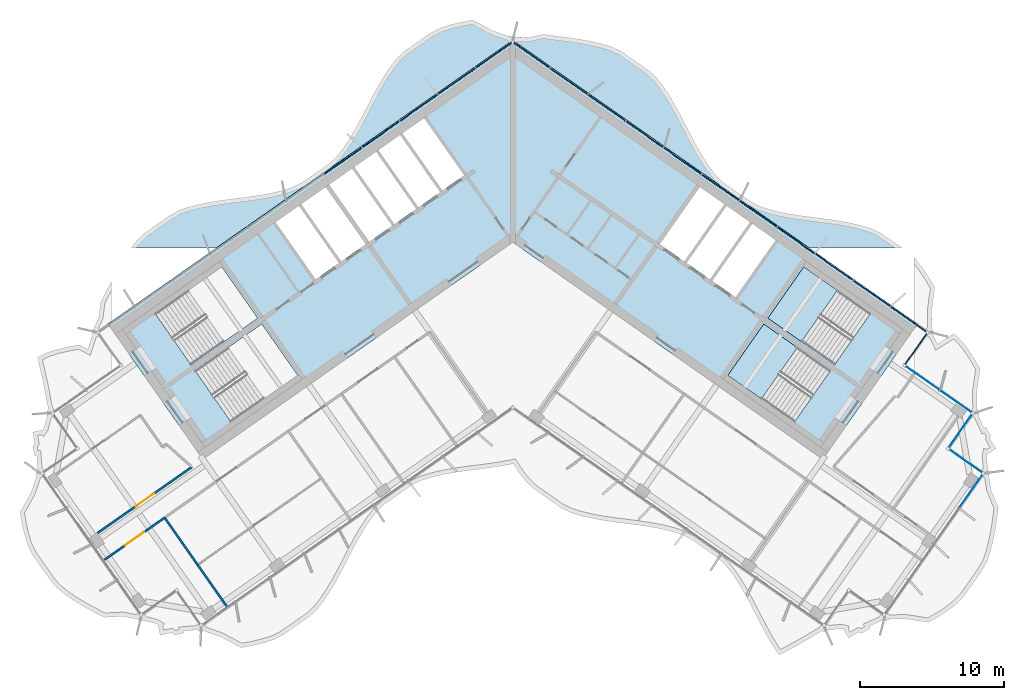
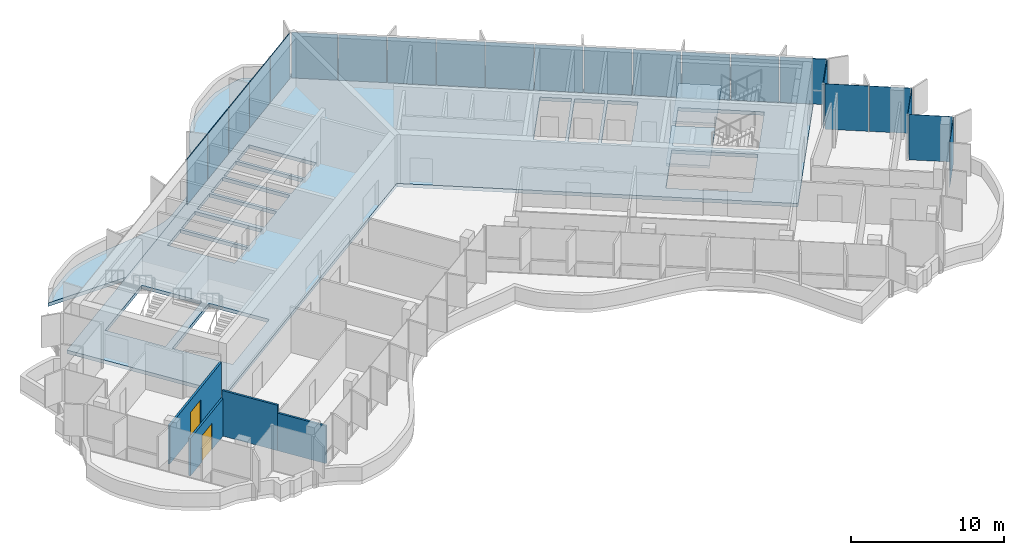
# One storey, part 10 of 20: 22 plates, 4 slabs, 4 walls, 2 doors, 2 openings, 4 elements without a shape of their own.
"""IFC4 building model written with IfcOpenShell, lengths in metres."""

from ifc_helpers import new_model, si_unit, direction, frame, frame_2d, origin, origin_2d, place, context, subcontext, project, spatial, polyline, rectangle, outline, extrude, material, layer, layer_set, type_object, element, fill, aggregate, save


model = new_model("IFC4")

# Units and contexts
model_context = context("Model", 3, precision=1e-05, world=origin(), true_north=direction((0.0, 1.0)))
body_context = subcontext(model_context, "Body", "Model", "MODEL_VIEW")
ifc_project = project(units=[si_unit("LENGTHUNIT", "METRE"), si_unit("AREAUNIT", "SQUARE_METRE"), si_unit("VOLUMEUNIT", "CUBIC_METRE"), si_unit("PLANEANGLEUNIT", "RADIAN"), si_unit("MASSUNIT", "GRAM", prefix="KILO")], contexts=[model_context])

# Site, building, storey
site_placement = place(None, origin())
site = spatial("IfcSite", under=ifc_project, at=site_placement, CompositionType="ELEMENT")
building_placement = place(site_placement, origin())
building = spatial("IfcBuilding", under=site, at=building_placement, Name="Tel Ilan Convention Tower", CompositionType="ELEMENT")
storey_placement = place(building_placement, frame((0.0, 0.0, 237.10009765625)))
storey = spatial("IfcBuildingStorey", under=building, at=storey_placement, Name="L55", CompositionType="ELEMENT", Elevation=237.10009765625)

# Curtain wall, plates
ifc_material_1 = material(Name="Aluminium, bronze anodised", Category="aluminium")
curtain_wall_type_1 = type_object("IfcCurtainWallType", Name="CW2 STICK CURTAIN WALL, SPANDREL PANELS", PredefinedType="NOTDEFINED", material=ifc_material_1)
curtain_wall_1_placement = place(storey_placement, origin())
curtain_wall_1 = element("IfcCurtainWall", 1, at=curtain_wall_1_placement, inside=storey, type_object=curtain_wall_type_1, Name="Curtain wall CW2-42.01", PredefinedType="NOTDEFINED")
ifc_material_2 = material(Name="Aluminium composite panel, bronze anodised", Category="aluminium")
ifc_layer_1 = layer(ifc_material_2, 0.06005859375)
ifc_layer_set_1 = layer_set([ifc_layer_1], Name="CW SPANDREL PANEL 60")
plate_type_1 = type_object("IfcPlateType", Name="CW SPANDREL PANEL 60", PredefinedType="CURTAIN_PANEL", material=ifc_layer_set_1)
plate_1_placement = place(storey_placement, frame((28.033935546875, -8.60546875, -0.000244140625), z_axis=(0.0, 0.0, 1.0), x_axis=(0.573576436351, 0.819152044289, 0.0)))
plate_1 = element("IfcPlate", 2, at=plate_1_placement, type_object=plate_type_1, Name="Spandrel panel", PredefinedType="CURTAIN_PANEL", context=body_context, shape_type="SweptSolid", body=[
    extrude(rectangle(XDim=2.658935546875, YDim=0.06005859375, at=origin_2d()), origin(), (0.0, 0.0, 1.0), 3.6201171875),
])
plate_2_placement = place(storey_placement, frame((27.5400390625, -6.587646484375, -0.000244140625), z_axis=(0.0, 0.0, 1.0), x_axis=(-0.819152044289, 0.573576436351, 0.0)))
plate_2 = element("IfcPlate", 3, at=plate_2_placement, type_object=plate_type_1, Name="Spandrel panel", PredefinedType="CURTAIN_PANEL", context=body_context, shape_type="SweptSolid", body=[
    extrude(rectangle(XDim=3.0439453125, YDim=0.06005859375, at=origin_2d()), origin(), (0.0, 0.0, 1.0), 3.6201171875),
])
plate_3_placement = place(storey_placement, frame((24.95263671875, -4.77587890625, -0.000244140625), z_axis=(0.0, 0.0, 1.0), x_axis=(-0.819152044289, 0.573576436351, 0.0)))
plate_3 = element("IfcPlate", 4, at=plate_3_placement, type_object=plate_type_1, Name="Spandrel panel", PredefinedType="CURTAIN_PANEL", context=body_context, shape_type="SweptSolid", body=[
    extrude(rectangle(XDim=3.15380859375, YDim=0.06005859375, at=origin_2d()), origin(), (0.0, 0.0, 1.0), 3.6201171875),
])
plate_4_placement = place(storey_placement, frame((22.31982421875, -2.9326171875, -0.000244140625), z_axis=(0.0, 0.0, 1.0), x_axis=(-0.819152044289, 0.573576436351, 0.0)))
plate_4 = element("IfcPlate", 5, at=plate_4_placement, type_object=plate_type_1, Name="Spandrel panel", PredefinedType="CURTAIN_PANEL", context=body_context, shape_type="SweptSolid", body=[
    extrude(rectangle(XDim=3.15380859375, YDim=0.06005859375, at=origin_2d()), origin(), (0.0, 0.0, 1.0), 3.6201171875),
])
plate_5_placement = place(storey_placement, frame((19.687255859375, -1.089111328125, -0.000244140625), z_axis=(0.0, 0.0, 1.0), x_axis=(-0.819152044289, 0.573576436351, 0.0)))
plate_5 = element("IfcPlate", 6, at=plate_5_placement, type_object=plate_type_1, Name="Spandrel panel", PredefinedType="CURTAIN_PANEL", context=body_context, shape_type="SweptSolid", body=[
    extrude(rectangle(XDim=3.15380859375, YDim=0.06005859375, at=origin_2d()), origin(), (0.0, 0.0, 1.0), 3.6201171875),
])
plate_6_placement = place(storey_placement, frame((17.0546875, 0.754150390625, -0.000244140625), z_axis=(0.0, 0.0, 1.0), x_axis=(-0.819152044289, 0.573576436351, 0.0)))
plate_6 = element("IfcPlate", 7, at=plate_6_placement, type_object=plate_type_1, Name="Spandrel panel", PredefinedType="CURTAIN_PANEL", context=body_context, shape_type="SweptSolid", body=[
    extrude(rectangle(XDim=3.15380859375, YDim=0.06005859375, at=origin_2d()), origin(), (0.0, 0.0, 1.0), 3.6201171875),
])
plate_7_placement = place(storey_placement, frame((14.422119140625, 2.59765625, -0.000244140625), z_axis=(0.0, 0.0, 1.0), x_axis=(-0.819152044289, 0.573576436351, 0.0)))
plate_7 = element("IfcPlate", 8, at=plate_7_placement, type_object=plate_type_1, Name="Spandrel panel", PredefinedType="CURTAIN_PANEL", context=body_context, shape_type="SweptSolid", body=[
    extrude(rectangle(XDim=3.15380859375, YDim=0.06005859375, at=origin_2d()), origin(), (0.0, 0.0, 1.0), 3.6201171875),
])
plate_8_placement = place(storey_placement, frame((11.789306640625, 4.44091796875, -0.000244140625), z_axis=(0.0, 0.0, 1.0), x_axis=(-0.819152044289, 0.573576436351, 0.0)))
plate_8 = element("IfcPlate", 9, at=plate_8_placement, type_object=plate_type_1, Name="Spandrel panel", PredefinedType="CURTAIN_PANEL", context=body_context, shape_type="SweptSolid", body=[
    extrude(rectangle(XDim=3.15380859375, YDim=0.06005859375, at=origin_2d()), origin(), (0.0, 0.0, 1.0), 3.6201171875),
])
plate_9_placement = place(storey_placement, frame((9.15673828125, 6.284423828125, -0.000244140625), z_axis=(0.0, 0.0, 1.0), x_axis=(-0.819152044289, 0.573576436351, 0.0)))
plate_9 = element("IfcPlate", 10, at=plate_9_placement, type_object=plate_type_1, Name="Spandrel panel", PredefinedType="CURTAIN_PANEL", context=body_context, shape_type="SweptSolid", body=[
    extrude(rectangle(XDim=3.15380859375, YDim=0.06005859375, at=origin_2d()), origin(), (0.0, 0.0, 1.0), 3.6201171875),
])
plate_10_placement = place(storey_placement, frame((6.524169921875, 8.127685546875, -0.000244140625), z_axis=(0.0, 0.0, 1.0), x_axis=(-0.819152044289, 0.573576436351, 0.0)))
plate_10 = element("IfcPlate", 11, at=plate_10_placement, type_object=plate_type_1, Name="Spandrel panel", PredefinedType="CURTAIN_PANEL", context=body_context, shape_type="SweptSolid", body=[
    extrude(rectangle(XDim=3.15380859375, YDim=0.06005859375, at=origin_2d()), origin(), (0.0, 0.0, 1.0), 3.6201171875),
])
plate_11_placement = place(storey_placement, frame((3.8916015625, 9.97119140625, -0.000244140625), z_axis=(0.0, 0.0, 1.0), x_axis=(-0.819152044289, 0.573576436351, 0.0)))
plate_11 = element("IfcPlate", 12, at=plate_11_placement, type_object=plate_type_1, Name="Spandrel panel", PredefinedType="CURTAIN_PANEL", context=body_context, shape_type="SweptSolid", body=[
    extrude(rectangle(XDim=3.15380859375, YDim=0.06005859375, at=origin_2d()), origin(), (0.0, 0.0, 1.0), 3.6201171875),
])
plate_12_placement = place(storey_placement, frame((1.303955078125, 11.782958984375, -0.000244140625), z_axis=(0.0, 0.0, 1.0), x_axis=(-0.819152044289, 0.573576436351, 0.0)))
plate_12 = element("IfcPlate", 13, at=plate_12_placement, type_object=plate_type_1, Name="Spandrel panel", PredefinedType="CURTAIN_PANEL", context=body_context, shape_type="SweptSolid", body=[
    extrude(rectangle(XDim=3.0439453125, YDim=0.06005859375, at=origin_2d()), origin(), (0.0, 0.0, 1.0), 3.6201171875),
])
plate_13_placement = place(storey_placement, frame((-1.303955078125, 11.782958984375, -0.000244140625), z_axis=(0.0, 0.0, 1.0), x_axis=(-0.819152044289, -0.573576436351, 0.0)))
plate_13 = element("IfcPlate", 14, at=plate_13_placement, type_object=plate_type_1, Name="Spandrel panel", PredefinedType="CURTAIN_PANEL", context=body_context, shape_type="SweptSolid", body=[
    extrude(rectangle(XDim=3.0439453125, YDim=0.06005859375, at=origin_2d()), origin(), (0.0, 0.0, 1.0), 3.6201171875),
])
plate_14_placement = place(storey_placement, frame((-3.8916015625, 9.97119140625, -0.000244140625), z_axis=(0.0, 0.0, 1.0), x_axis=(-0.819152044289, -0.573576436351, 0.0)))
plate_14 = element("IfcPlate", 15, at=plate_14_placement, type_object=plate_type_1, Name="Spandrel panel", PredefinedType="CURTAIN_PANEL", context=body_context, shape_type="SweptSolid", body=[
    extrude(rectangle(XDim=3.15380859375, YDim=0.06005859375, at=origin_2d()), origin(), (0.0, 0.0, 1.0), 3.6201171875),
])
plate_15_placement = place(storey_placement, frame((-6.524169921875, 8.127685546875, -0.000244140625), z_axis=(0.0, 0.0, 1.0), x_axis=(-0.819152044289, -0.573576436351, 0.0)))
plate_15 = element("IfcPlate", 16, at=plate_15_placement, type_object=plate_type_1, Name="Spandrel panel", PredefinedType="CURTAIN_PANEL", context=body_context, shape_type="SweptSolid", body=[
    extrude(rectangle(XDim=3.15380859375, YDim=0.06005859375, at=origin_2d()), origin(), (0.0, 0.0, 1.0), 3.6201171875),
])
plate_16_placement = place(storey_placement, frame((-9.15673828125, 6.284423828125, -0.000244140625), z_axis=(0.0, 0.0, 1.0), x_axis=(-0.819152044289, -0.573576436351, 0.0)))
plate_16 = element("IfcPlate", 17, at=plate_16_placement, type_object=plate_type_1, Name="Spandrel panel", PredefinedType="CURTAIN_PANEL", context=body_context, shape_type="SweptSolid", body=[
    extrude(rectangle(XDim=3.15380859375, YDim=0.06005859375, at=origin_2d()), origin(), (0.0, 0.0, 1.0), 3.6201171875),
])
plate_17_placement = place(storey_placement, frame((-11.789306640625, 4.44091796875, -0.000244140625), z_axis=(0.0, 0.0, 1.0), x_axis=(-0.819152044289, -0.573576436351, 0.0)))
plate_17 = element("IfcPlate", 18, at=plate_17_placement, type_object=plate_type_1, Name="Spandrel panel", PredefinedType="CURTAIN_PANEL", context=body_context, shape_type="SweptSolid", body=[
    extrude(rectangle(XDim=3.15380859375, YDim=0.06005859375, at=origin_2d()), origin(), (0.0, 0.0, 1.0), 3.6201171875),
])
aggregate(curtain_wall_1, [plate_1, plate_2, plate_3, plate_4, plate_5, plate_6, plate_7, plate_8, plate_9, plate_10, plate_11, plate_12, plate_13, plate_14, plate_15, plate_16, plate_17])

ifc_material_3 = material(Name="Aluminium, bronze anodised", Category="aluminium")
curtain_wall_type_2 = type_object("IfcCurtainWallType", Name="CW5 STICK CURTAIN WALL, UPPER OFFICE LOW-IRON TINTED GLASS", PredefinedType="NOTDEFINED", material=ifc_material_3)
curtain_wall_2_placement = place(storey_placement, origin())
curtain_wall_2 = element("IfcCurtainWall", 19, at=curtain_wall_2_placement, inside=storey, type_object=curtain_wall_type_2, Name="Curtain wall CW5-42.02", PredefinedType="NOTDEFINED")
ifc_material_4 = material(Name="Glass, low-iron bronze tinted, two-ply", Category="glass")
ifc_layer_2 = layer(ifc_material_4, 0.031982421875)
ifc_layer_set_2 = layer_set([ifc_layer_2], Name="CW UPPER GLASS PANEL 32")
plate_type_2 = type_object("IfcPlateType", Name="CW UPPER GLASS PANEL 32", PredefinedType="CURTAIN_PANEL", material=ifc_layer_set_2)
plate_18_placement = place(storey_placement, frame((31.85693359375, -18.488037109375, -0.000244140625), z_axis=(0.0, 0.0, 1.0), x_axis=(0.573576436351, 0.819152044289, 0.0)))
plate_18 = element("IfcPlate", 20, at=plate_18_placement, type_object=plate_type_2, Name="Glass panel", PredefinedType="CURTAIN_PANEL", context=body_context, shape_type="SweptSolid", body=[
    extrude(rectangle(XDim=2.89599609375, YDim=0.028076171875, at=origin_2d()), origin(), (0.0, 0.0, 1.0), 3.6201171875),
])
plate_19_placement = place(storey_placement, frame((31.504150390625, -16.44384765625, -0.000244140625), z_axis=(0.0, 0.0, 1.0), x_axis=(-0.819152044289, 0.573576436351, 0.0)))
plate_19 = element("IfcPlate", 21, at=plate_19_placement, type_object=plate_type_2, Name="Glass panel", PredefinedType="CURTAIN_PANEL", context=body_context, shape_type="SweptSolid", body=[
    extrude(rectangle(XDim=2.875, YDim=0.028076171875, at=origin_2d()), origin(), (0.0, 0.0, 1.0), 3.6201171875),
])
plate_20_placement = place(storey_placement, frame((31.126220703125, -14.30126953125, -0.000244140625), z_axis=(0.0, 0.0, 1.0), x_axis=(0.573576436351, 0.819152044289, 0.0)))
plate_20 = element("IfcPlate", 22, at=plate_20_placement, type_object=plate_type_2, Name="Glass panel", PredefinedType="CURTAIN_PANEL", context=body_context, shape_type="SweptSolid", body=[
    extrude(rectangle(XDim=2.875, YDim=0.028076171875, at=origin_2d()), origin(), (0.0, 0.0, 1.0), 3.6201171875),
])
plate_21_placement = place(storey_placement, frame((30.8203125, -12.302734375, -0.000244140625), z_axis=(0.0, 0.0, 1.0), x_axis=(-0.819152044289, 0.573576436351, 0.0)))
plate_21 = element("IfcPlate", 23, at=plate_21_placement, type_object=plate_type_2, Name="Glass panel", PredefinedType="CURTAIN_PANEL", context=body_context, shape_type="SweptSolid", body=[
    extrude(rectangle(XDim=2.74609375, YDim=0.028076171875, at=origin_2d()), origin(), (0.0, 0.0, 1.0), 3.6201171875),
])
plate_22_placement = place(storey_placement, frame((28.471435546875, -10.657958984375, -0.000244140625), z_axis=(0.0, 0.0, 1.0), x_axis=(-0.819152044289, 0.573576436351, 0.0)))
plate_22 = element("IfcPlate", 24, at=plate_22_placement, type_object=plate_type_2, Name="Glass panel", PredefinedType="CURTAIN_PANEL", context=body_context, shape_type="SweptSolid", body=[
    extrude(rectangle(XDim=2.868896484375, YDim=0.028076171875, at=origin_2d()), origin(), (0.0, 0.0, 1.0), 3.6201171875),
])
aggregate(curtain_wall_2, [plate_18, plate_19, plate_20, plate_21, plate_22])

# Stair, slab
ifc_material_5 = material(Name="Concrete C40/50", Category="concrete")
stair_type = type_object("IfcStairType", Name="Pressurised Exit Stair 22 risers 177 mm", PredefinedType="HALF_TURN_STAIR", material=ifc_material_5)
stair_1_placement = place(storey_placement, origin())
stair_1 = element("IfcStair", 25, at=stair_1_placement, inside=storey, type_object=stair_type, Name="L55 Pressurised Stair S3", PredefinedType="HALF_TURN_STAIR")
ifc_material_6 = material(Name="Concrete C40/50", Category="concrete")
ifc_layer_3 = layer(ifc_material_6, 0.199951171875)
ifc_layer_set_3 = layer_set([ifc_layer_3], Name="Concrete Stair Landing 200 mm C40/50")
slab_type_1 = type_object("IfcSlabType", Name="Concrete Stair Landing 200 mm", PredefinedType="LANDING", material=ifc_layer_set_3)
slab_1_placement = place(storey_placement, frame((0.0, 0.0, 1.75)))
slab_1 = element("IfcSlab", 26, at=slab_1_placement, type_object=slab_type_1, Name="S3 landing 1", PredefinedType="LANDING", context=body_context, shape_type="SweptSolid", body=[
    extrude(outline(polyline([(22.561767578125, -4.566650390625), (20.226318359375, -2.931640625), (17.7314453125, -6.494873046875), (20.066650390625, -8.130126953125), (22.561767578125, -4.566650390625)])), origin(), (0.0, 0.0, 1.0), 0.199951171875),
])
aggregate(stair_1, [slab_1])

stair_2_placement = place(storey_placement, origin())
stair_2 = element("IfcStair", 27, at=stair_2_placement, inside=storey, type_object=stair_type, Name="L55 Pressurised Stair S4", PredefinedType="HALF_TURN_STAIR")
slab_2_placement = place(storey_placement, frame((0.0, 0.0, 1.75)))
slab_2 = element("IfcSlab", 28, at=slab_2_placement, type_object=slab_type_1, Name="S4 landing 1", PredefinedType="LANDING", context=body_context, shape_type="SweptSolid", body=[
    extrude(outline(polyline([(19.77978515625, -8.53955078125), (17.444580078125, -6.904541015625), (14.949462890625, -10.4677734375), (17.28466796875, -12.10302734375), (19.77978515625, -8.53955078125)])), origin(), (0.0, 0.0, 1.0), 0.199951171875),
])
aggregate(stair_2, [slab_2])

# Slabs
ifc_material_7 = material(Name="Concrete C40/50", Category="concrete")
ifc_layer_4 = layer(ifc_material_7, 0.280029296875)
ifc_layer_set_4 = layer_set([ifc_layer_4], Name="Core Floor Slab 280 mm C40/50")
slab_type_2 = type_object("IfcSlabType", Name="Core Floor Slab 280 mm C40/50", PredefinedType="FLOOR", material=ifc_layer_set_4)
slab_3_placement = place(storey_placement, frame((0.0, 0.0, -0.280029296875)))
element("IfcSlab", 29, at=slab_3_placement, inside=storey, type_object=slab_type_2, Name="L55 core floor 1", PredefinedType="FLOOR", context=body_context, shape_type="SweptSolid", body=[
    extrude(outline(polyline([(-28.1396484375, -6.885498046875), (0.0, 12.818115234375), (28.1396484375, -6.885498046875), (21.54345703125, -16.3056640625), (0.0, -1.220703125), (-21.54345703125, -16.3056640625), (-28.1396484375, -6.885498046875)]), holes=[polyline([(-17.444580078125, -6.904541015625), (-22.072021484375, -10.144775390625), (-19.5771484375, -13.7080078125), (-14.949462890625, -10.4677734375), (-17.444580078125, -6.904541015625)]), polyline([(-17.7314453125, -6.494873046875), (-20.226318359375, -2.931640625), (-24.85400390625, -6.171875), (-22.35888671875, -9.735107421875), (-17.7314453125, -6.494873046875)]), polyline([(-14.864990234375, 1.310791015625), (-16.48291015625, 0.177978515625), (-13.701171875, -3.794921875), (-12.083251953125, -2.662109375), (-14.864990234375, 1.310791015625)]), polyline([(-14.701416015625, 1.425537109375), (-11.91943359375, -2.54736328125), (-10.2197265625, -1.357421875), (-13.001708984375, 2.615478515625), (-14.701416015625, 1.425537109375)]), polyline([(-11.168701171875, 3.89892578125), (-12.755859375, 2.78759765625), (-9.97412109375, -1.185302734375), (-8.386962890625, -0.073974609375), (-11.168701171875, 3.89892578125)]), polyline([(-9.499755859375, 5.067626953125), (-11.0048828125, 4.013671875), (-8.222900390625, 0.040771484375), (-6.718017578125, 1.0947265625), (-9.499755859375, 5.067626953125)]), polyline([(-9.3359375, 5.182373046875), (-6.553955078125, 1.20947265625), (-5.048828125, 2.263427734375), (-7.830810546875, 6.236328125), (-9.3359375, 5.182373046875)]), polyline([(17.444580078125, -6.904541015625), (14.949462890625, -10.4677734375), (19.5771484375, -13.7080078125), (22.072021484375, -10.144775390625), (17.444580078125, -6.904541015625)]), polyline([(20.226318359375, -2.931640625), (17.7314453125, -6.494873046875), (22.35888671875, -9.735107421875), (24.85400390625, -6.171875), (20.226318359375, -2.931640625)]), polyline([(15.48291015625, -5.04248046875), (18.2646484375, -1.069580078125), (16.646728515625, 0.063232421875), (13.864990234375, -3.90966796875), (15.48291015625, -5.04248046875)]), polyline([(13.701171875, -3.794921875), (16.48291015625, 0.177978515625), (14.864990234375, 1.310791015625), (12.083251953125, -2.662109375), (13.701171875, -3.794921875)]), polyline([(11.91943359375, -2.54736328125), (14.701416015625, 1.425537109375), (13.001708984375, 2.615478515625), (10.2197265625, -1.357421875), (11.91943359375, -2.54736328125)]), polyline([(-6.16162109375, 7.405029296875), (-7.666748046875, 6.35107421875), (-4.885009765625, 2.378173828125), (-3.3798828125, 3.43212890625), (-6.16162109375, 7.405029296875)])]), origin(), (0.0, 0.0, 1.0), 0.280029296875),
])
ifc_material_8 = material(Name="Concrete C40/50", Category="concrete")
ifc_layer_5 = layer(ifc_material_8, 0.280029296875)
ifc_layer_set_5 = layer_set([ifc_layer_5], Name="Edge Ledge Slab 280 mm C40/50")
slab_type_3 = type_object("IfcSlabType", Name="Edge Ledge Slab 280 mm C40/50", PredefinedType="FLOOR", material=ifc_layer_set_5)
slab_4_placement = place(storey_placement, frame((0.0, 0.0, -0.280029296875)))
element("IfcSlab", 30, at=slab_4_placement, inside=storey, type_object=slab_type_3, Name="L55 edge ledge 2", PredefinedType="FLOOR", context=body_context, shape_type="SweptSolid", body=[
    extrude(outline(polyline([(-23.1982421875, 1.006591796875), (-22.4697265625, 1.250244140625), (-21.705322265625, 1.44287109375), (-20.91259765625, 1.594482421875), (-20.099365234375, 1.71728515625), (-19.275146484375, 1.824462890625), (-18.44970703125, 1.9296875), (-17.6328125, 2.047119140625), (-16.833984375, 2.18994140625), (-16.0615234375, 2.37109375), (-15.3232421875, 2.6005859375), (-14.651611328125, 2.92529296875), (-12.841552734375, 4.192626953125), (-12.284912109375, 4.681640625), (-11.809326171875, 5.28662109375), (-11.369140625, 5.94189453125), (-10.956787109375, 6.63720703125), (-10.564453125, 7.36083984375), (-10.182373046875, 8.09912109375), (-9.80078125, 8.83837890625), (-9.410400390625, 9.564697265625), (-9.001220703125, 10.264404296875), (-8.56494140625, 10.925537109375), (-8.094482421875, 11.53759765625), (-7.552001953125, 12.047119140625), (-5.7421875, 13.314208984375), (-5.0849609375, 13.66015625), (-4.3515625, 13.896484375), (-3.5830078125, 14.083251953125), (-2.785888671875, 14.228515625), (-1.357666015625, 13.472900390625), (-0.172119140625, 13.06396484375), (-0.168701171875, 13.05908203125), (-0.11474609375, 13.09521484375), (0.0, 13.1181640625), (0.11474609375, 13.09521484375), (0.168701171875, 13.05908203125), (0.172119140625, 13.06396484375), (1.02001953125, 12.99072265625), (2.08935546875, 13.234130859375), (2.913818359375, 13.12744140625), (3.739501953125, 13.0224609375), (4.55712890625, 12.90625), (5.357666015625, 12.765380859375), (6.132080078125, 12.587158203125), (6.872802734375, 12.361083984375), (7.552001953125, 12.047119140625), (9.36181640625, 10.77978515625), (9.925537109375, 10.300537109375), (10.403564453125, 9.69921875), (10.845947265625, 9.046875), (11.259521484375, 8.353515625), (11.653076171875, 7.631591796875), (12.035400390625, 6.893798828125), (12.416748046875, 6.154052734375), (12.806396484375, 5.426513671875), (13.214111328125, 4.724609375), (13.648193359375, 4.060791015625), (14.116455078125, 3.4453125), (14.651611328125, 2.92529296875), (15.2548828125, 2.502685546875), (16.46142578125, 1.657958984375), (17.111328125, 1.30224609375), (17.84228515625, 1.062255859375), (18.60888671875, 0.87255859375), (19.4033203125, 0.72314453125), (20.21728515625, 0.601806640625), (21.0419921875, 0.495361328125), (21.8671875, 0.3896484375), (22.68310546875, 0.27099609375), (23.480712890625, 0.1259765625), (24.2509765625, -0.057861328125), (24.987060546875, -0.290771484375), (25.6513671875, -0.626220703125), (27.087158203125, -1.631591796875), (20.63623046875, -1.631591796875), (0.0, 12.818115234375), (-20.63623046875, -1.631591796875), (-26.535888671875, -1.631591796875), (-26.1787109375, -1.156982421875), (-25.6513671875, -0.626220703125), (-23.84130859375, 0.64111328125), (-23.1982421875, 1.006591796875)])), origin(), (0.0, 0.0, 1.0), 0.280029296875),
])

# Wall, opening, door
ifc_material_9 = material(Name="Plasterboard on Steel Studs", Category="steel")
ifc_layer_6 = layer(ifc_material_9, 0.14990234375)
ifc_layer_set_6 = layer_set([ifc_layer_6], Name="Fire-rated Partition 150 EI 60")
wall_type = type_object("IfcWallType", Name="Fire-rated Partition 150 EI 60", PredefinedType="PARTITIONING", material=ifc_layer_set_6)
wall_1_placement = place(storey_placement, frame((-28.858154296875, -21.428466796875, 0.0), z_axis=(0.0, 0.0, 1.0), x_axis=(0.819138799838, 0.573595350923, 0.0)))
wall_1 = element("IfcWall", 31, at=wall_1_placement, inside=storey, type_object=wall_type, Name="Partition 007", PredefinedType="PARTITIONING", context=body_context, shape_type="SweptSolid", body=[
    extrude(rectangle(XDim=8.007080078125, YDim=0.14990234375, at=frame_2d((4.00341796875, 0.0))), origin(), (0.0, 0.0, 1.0), 3.0498046875),
])
opening_1_placement = place(wall_1_placement, frame((3.20361328125, 0.0, 0.0)))
opening_1 = element("IfcOpeningElement", 32, at=opening_1_placement, cuts=wall_1, Name="Opening L53-007", PredefinedType="OPENING", context=body_context, shape_type="SweptSolid", body=[
    extrude(rectangle(XDim=1.60009765625, YDim=2.10009765625, at=frame_2d((0.800048828125, 1.050048828125))), frame((0.0, 0.0849609375, 0.0), z_axis=(0.0, -1.0, 0.0), x_axis=(1.0, 0.0, 0.0)), (0.0, 0.0, 1.0), 0.169921875),
])
ifc_material_10 = material(Name="Timber Door Leaf in Steel Frame", Category="steel")
door_type = type_object("IfcDoorType", Name="Tenant Suite Entrance Fire Door 1600x2100", OperationType="NOTDEFINED", PredefinedType="DOOR", material=ifc_material_10)
door_1_placement = place(opening_1_placement, origin())
door_1 = element("IfcDoor", 33, at=door_1_placement, inside=storey, type_object=door_type, Name="Door L53-007", OperationType="DOUBLE_DOOR_SINGLE_SWING", OverallHeight=2.10009765625, OverallWidth=1.60009765625, PredefinedType="DOOR", context=body_context, shape_type="SweptSolid", body=[
    extrude(rectangle(XDim=1.60009765625, YDim=2.10009765625, at=frame_2d((0.800048828125, 1.050048828125))), frame((0.0, 0.02490234375, 0.0), z_axis=(0.0, -1.0, 0.0), x_axis=(1.0, 0.0, 0.0)), (0.0, 0.0, 1.0), 0.050048828125),
])
fill(opening_1, door_1)

wall_2_placement = place(storey_placement, frame((-24.19580078125, -20.360107421875, 0.0), z_axis=(0.0, 0.0, 1.0), x_axis=(-0.819132992492, -0.573603644176, 0.0)))
wall_2 = element("IfcWall", 34, at=wall_2_placement, inside=storey, type_object=wall_type, Name="Partition 012", PredefinedType="PARTITIONING", context=body_context, shape_type="SweptSolid", body=[
    extrude(rectangle(XDim=5.10205078125, YDim=0.14990234375, at=frame_2d((2.551025390625, 0.0))), origin(), (0.0, 0.0, 1.0), 3.0),
])
opening_2_placement = place(wall_2_placement, frame((1.7509765625, 0.0, 0.0)))
opening_2 = element("IfcOpeningElement", 35, at=opening_2_placement, cuts=wall_2, Name="Opening L53-006", PredefinedType="OPENING", context=body_context, shape_type="SweptSolid", body=[
    extrude(rectangle(XDim=1.60009765625, YDim=2.10009765625, at=frame_2d((0.800048828125, 1.050048828125))), frame((0.0, 0.0849609375, 0.0), z_axis=(0.0, -1.0, 0.0), x_axis=(1.0, 0.0, 0.0)), (0.0, 0.0, 1.0), 0.169921875),
])
door_2_placement = place(opening_2_placement, origin())
door_2 = element("IfcDoor", 36, at=door_2_placement, inside=storey, type_object=door_type, Name="Door L53-006", OperationType="DOUBLE_DOOR_SINGLE_SWING", OverallHeight=2.10009765625, OverallWidth=1.60009765625, PredefinedType="DOOR", context=body_context, shape_type="SweptSolid", body=[
    extrude(rectangle(XDim=1.60009765625, YDim=2.10009765625, at=frame_2d((0.800048828125, 1.050048828125))), frame((0.0, 0.02490234375, 0.0), z_axis=(0.0, -1.0, 0.0), x_axis=(1.0, 0.0, 0.0)), (0.0, 0.0, 1.0), 0.050048828125),
])
fill(opening_2, door_2)

# Walls
wall_3_placement = place(storey_placement, frame((-19.8955078125, -26.5048828125, 0.0), z_axis=(0.0, 0.0, 1.0), x_axis=(-0.573555999232, 0.819166354134, 0.0)))
element("IfcWall", 37, at=wall_3_placement, inside=storey, type_object=wall_type, Name="Partition 035", PredefinedType="PARTITIONING", context=body_context, shape_type="SweptSolid", body=[
    extrude(rectangle(XDim=3.4990234375, YDim=0.14990234375, at=frame_2d((1.74951171875, 0.0))), origin(), (0.0, 0.0, 1.0), 3.0),
])
wall_4_placement = place(storey_placement, frame((-21.903076171875, -23.637939453125, 0.0), z_axis=(0.0, 0.0, 1.0), x_axis=(-0.573556557423, 0.819165963305, 0.0)))
element("IfcWall", 38, at=wall_4_placement, inside=storey, type_object=wall_type, Name="Partition 036", PredefinedType="PARTITIONING", context=body_context, shape_type="SweptSolid", body=[
    extrude(rectangle(XDim=4.0, YDim=0.14990234375, at=frame_2d((2.0, 0.0))), origin(), (0.0, 0.0, 1.0), 3.619873046875),
])

save(model, "model.ifc")
